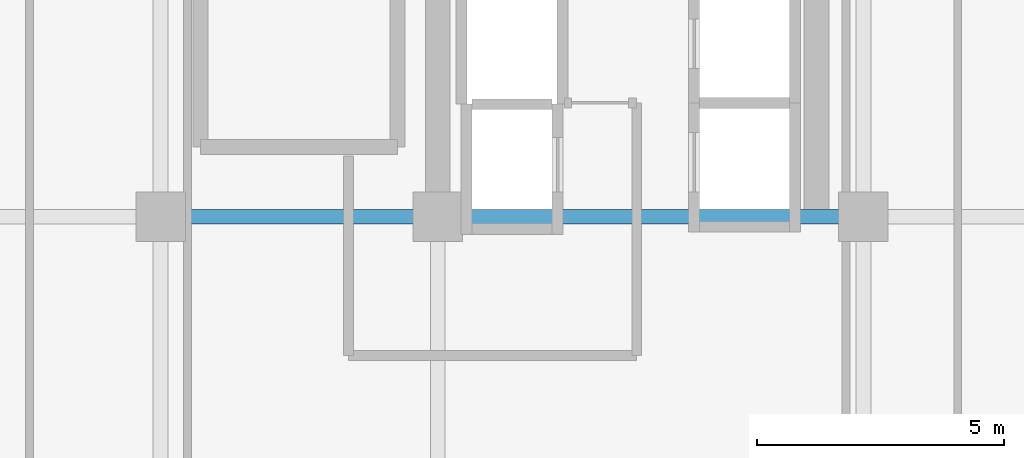
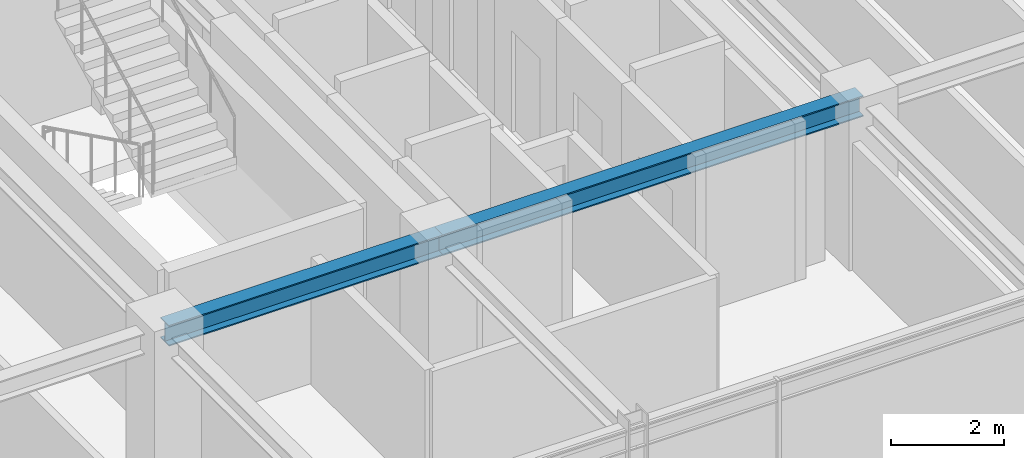
# One storey, part 13 of 35: 2 beams.
"""IFC4 building model written with IfcOpenShell, lengths in metres."""

from ifc_helpers import new_model, si_unit, direction, frame, origin, origin_2d, place, context, subcontext, project, spatial, i_section, extrude, source, transform, mapped, material, material_profile, profile_set, type_object, element, save


model = new_model("IFC4")

# Units and contexts
model_context = context("Model", 3, precision=1e-05, world=origin(), true_north=direction((0.0, 1.0)))
body_context = subcontext(model_context, "Body", "Model", "MODEL_VIEW")
ifc_project = project(units=[si_unit("LENGTHUNIT", "METRE"), si_unit("AREAUNIT", "SQUARE_METRE"), si_unit("VOLUMEUNIT", "CUBIC_METRE"), si_unit("PLANEANGLEUNIT", "RADIAN"), si_unit("MASSUNIT", "GRAM", prefix="KILO")], contexts=[model_context])

# Site, building, storey
site_placement = place(None, origin())
site = spatial("IfcSite", under=ifc_project, at=site_placement, CompositionType="ELEMENT")
building_placement = place(site_placement, origin())
building = spatial("IfcBuilding", under=site, at=building_placement, Name="Nahalor Promenade Grand Hotel", CompositionType="ELEMENT")
storey_placement = place(building_placement, frame((0.0, 0.0, 245.60009765625)))
storey = spatial("IfcBuildingStorey", under=building, at=storey_placement, Name="L63", CompositionType="ELEMENT", Elevation=245.60009765625)

# Beams
ifc_material = material(Name="Steel S355JR", Category="steel")
ifc_material_profile = material_profile(ifc_material, i_section(OverallWidth=0.3, OverallDepth=0.45, WebThickness=0.014, FlangeThickness=0.026, at=origin_2d()), Name="HEB 450")
ifc_profile_set = profile_set([ifc_material_profile], Name="Steel S355JR")
beam_type = type_object("IfcBeamType", Name="Beam-Girder-HEB450", PredefinedType="BEAM", material=ifc_profile_set)
shared_shape_1 = source(origin(), body_context, "Body", "SweptSolid", [
    extrude(i_section(OverallWidth=0.3, OverallDepth=0.45, WebThickness=0.014, FlangeThickness=0.026, at=origin_2d()), origin(), (0.0, 0.0, 1.0), 8.60009765625),
])
beam_1_placement = place(storey_placement, frame((8.39990234375, -17.0, 3.184814453125), z_axis=(1.0, 0.0, 0.0), x_axis=(0.0, 1.0, 0.0)))
element("IfcBeam", 1, at=beam_1_placement, inside=storey, type_object=beam_type, Name="BM-L63-GX-0-5", PredefinedType="BEAM", context=body_context, shape_type="MappedRepresentation", body=[
    mapped(shared_shape_1, transform((0.0, 0.0, 0.0), scale=1.0)),
])
shared_shape_2 = source(origin(), body_context, "Body", "SweptSolid", [
    extrude(i_section(OverallWidth=0.3, OverallDepth=0.45, WebThickness=0.014, FlangeThickness=0.026, at=origin_2d()), origin(), (0.0, 0.0, 1.0), 5.599853515625),
])
beam_2_placement = place(storey_placement, frame((2.800048828125, -17.0, 3.184814453125), z_axis=(1.0, 0.0, 0.0), x_axis=(0.0, 1.0, 0.0)))
element("IfcBeam", 2, at=beam_2_placement, inside=storey, type_object=beam_type, Name="BM-L63-GX-0-4", PredefinedType="BEAM", context=body_context, shape_type="MappedRepresentation", body=[
    mapped(shared_shape_2, transform((0.0, 0.0, 0.0), scale=1.0)),
])

save(model, "model.ifc")
